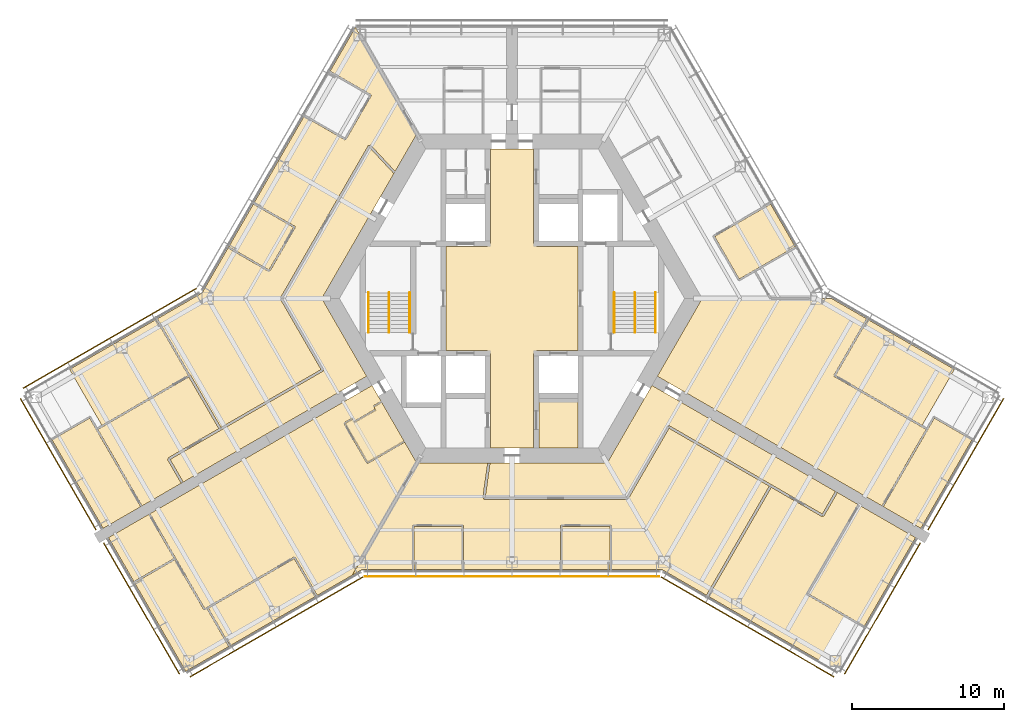
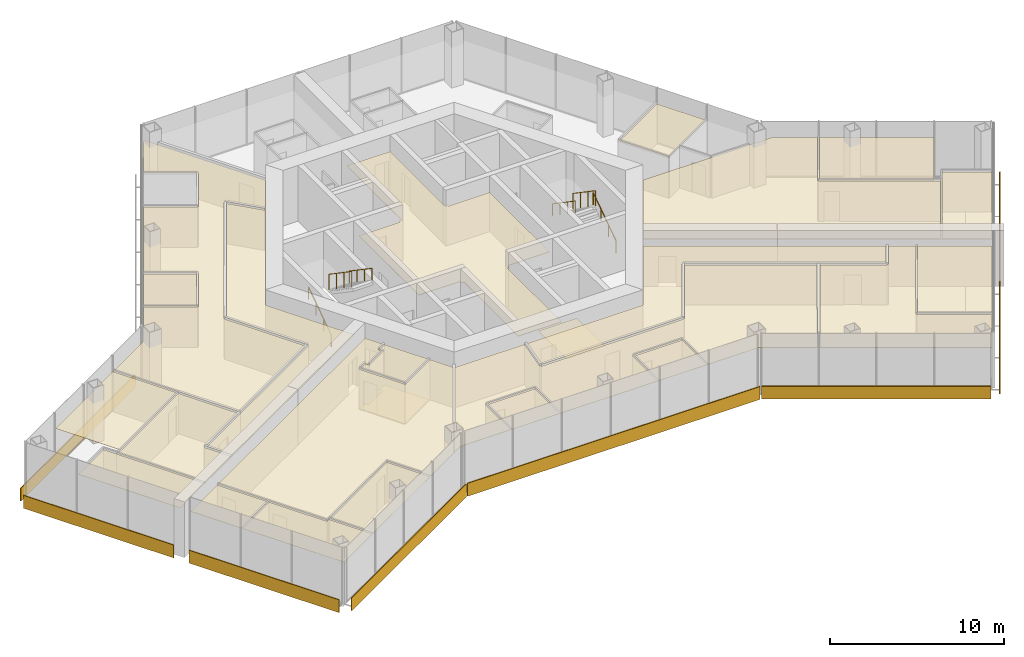
# One storey, part 17 of 18: 24 coverings, 8 shading devices, 6 railings.
"""IFC4 building model written with IfcOpenShell, lengths in metres."""

from ifc_helpers import new_model, si_unit, direction, frame, origin, origin_2d, place, context, subcontext, project, spatial, polyline, rectangle, circle, outline, extrude, material, layer, layer_set, type_object, element, save


model = new_model("IFC4")

# Units and contexts
model_context = context("Model", 3, precision=1e-05, world=origin(), true_north=direction((0.0, 1.0)))
body_context = subcontext(model_context, "Body", "Model", "MODEL_VIEW")
ifc_project = project(units=[si_unit("LENGTHUNIT", "METRE"), si_unit("AREAUNIT", "SQUARE_METRE"), si_unit("VOLUMEUNIT", "CUBIC_METRE"), si_unit("PLANEANGLEUNIT", "RADIAN"), si_unit("MASSUNIT", "GRAM", prefix="KILO")], contexts=[model_context])

# Site, building, storey
site_placement = place(None, origin())
site = spatial("IfcSite", under=ifc_project, at=site_placement, CompositionType="ELEMENT")
building_placement = place(site_placement, origin())
building = spatial("IfcBuilding", under=site, at=building_placement, Name="Kasaneha Research Tower", CompositionType="ELEMENT")
storey_placement = place(building_placement, frame((0.0, 0.0, 179.89990234375)))
storey = spatial("IfcBuildingStorey", under=building, at=storey_placement, Name="L45", CompositionType="ELEMENT", Elevation=179.89990234375)

# Covering
ifc_material_1 = material(Name="Aluminium panel ceiling", Category="aluminium")
ifc_layer_1 = layer(ifc_material_1, 0.0400390625)
ifc_layer_set_1 = layer_set([ifc_layer_1], Name="Lift lobby ceiling 40")
covering_type_1 = type_object("IfcCoveringType", Name="Lift lobby ceiling 40", PredefinedType="CEILING", material=ifc_layer_set_1)
covering_1_placement = place(storey_placement, frame((0.0, 0.0, 2.7001953125)))
element("IfcCovering", 1, at=covering_1_placement, inside=storey, type_object=covering_type_1, Name="Ceiling L45-01", PredefinedType="CEILING", context=body_context, shape_type="SweptSolid", body=[
    extrude(outline(polyline([(1.425048828125, 9.824951171875), (1.425048828125, 3.60009765625), (1.60009765625, 3.60009765625), (1.60009765625, 3.425048828125), (4.324951171875, 3.425048828125), (4.324951171875, -3.425048828125), (1.60009765625, -3.425048828125), (1.60009765625, -3.60009765625), (1.425048828125, -3.60009765625), (1.425048828125, -9.824951171875), (-1.425048828125, -9.824951171875), (-1.425048828125, -3.60009765625), (-1.60009765625, -3.60009765625), (-1.60009765625, -3.425048828125), (-4.324951171875, -3.425048828125), (-4.324951171875, 3.425048828125), (-1.60009765625, 3.425048828125), (-1.60009765625, 3.60009765625), (-1.425048828125, 3.60009765625), (-1.425048828125, 9.824951171875), (1.425048828125, 9.824951171875)])), origin(), (0.0, 0.0, 1.0), 0.039794921875),
])

# Railings
ifc_material_2 = material(Name="Steel", Category="steel")
railing_type_1 = type_object("IfcRailingType", Name="Stair balustrade 1100", PredefinedType="GUARDRAIL", material=ifc_material_2)
for number, where, name in (
    (2, (8.074951171875, 0.375, 2.12744140625), "Stair 1 balustrade L45"),
    (3, (-8.074951171875, 0.375, 2.12744140625), "Stair 2 balustrade L45"),
):
    element("IfcRailing", number, at=place(storey_placement, frame(where)), inside=storey, type_object=railing_type_1, Name=name, PredefinedType="GUARDRAIL", context=body_context, shape_type="SweptSolid", body=[
        extrude(circle(Radius=0.02392578125, at=origin_2d()), frame((0.0, 0.0, 1.076171875), z_axis=(0.0, -0.826240473404, 0.563317565952), x_axis=(1.0, 0.0, 0.0)), (0.0, 0.0, 1.0), 3.14697265625),
        extrude(circle(Radius=0.02099609375, at=origin_2d()), origin(), (0.0, 0.0, 1.0), 1.052001953125),
        extrude(circle(Radius=0.02099609375, at=origin_2d()), frame((0.0, -0.86669921875, 0.5908203125)), (0.0, 0.0, 1.0), 1.052001953125),
        extrude(circle(Radius=0.02099609375, at=origin_2d()), frame((0.0, -1.7333984375, 1.181884765625)), (0.0, 0.0, 1.0), 1.052001953125),
        extrude(circle(Radius=0.02099609375, at=origin_2d()), frame((0.0, -2.60009765625, 1.772705078125)), (0.0, 0.0, 1.0), 1.052001953125),
    ])
ifc_material_3 = material(Name="Steel", Category="steel")
railing_type_2 = type_object("IfcRailingType", Name="Stair handrail 850", PredefinedType="HANDRAIL", material=ifc_material_3)
railing_1_placement = place(storey_placement, frame((9.425048828125, -2.22509765625, 0.177490234375)))
element("IfcRailing", 4, at=railing_1_placement, inside=storey, type_object=railing_type_2, Name="Stair 1 handrail L45", PredefinedType="HANDRAIL", context=body_context, shape_type="SweptSolid", body=[
    extrude(circle(Radius=0.02392578125, at=origin_2d()), frame((0.0, 0.0, 0.826171875), z_axis=(0.0, 0.826240473404, 0.563317565952), x_axis=(-1.0, 0.0, 0.0)), (0.0, 0.0, 1.0), 3.14697265625),
    extrude(circle(Radius=0.02099609375, at=origin_2d()), origin(), (0.0, 0.0, 1.0), 0.802001953125),
    extrude(circle(Radius=0.02099609375, at=origin_2d()), frame((0.0, 0.86669921875, 0.5908203125)), (0.0, 0.0, 1.0), 0.802001953125),
    extrude(circle(Radius=0.02099609375, at=origin_2d()), frame((0.0, 1.7333984375, 1.181884765625)), (0.0, 0.0, 1.0), 0.802001953125),
    extrude(circle(Radius=0.02099609375, at=origin_2d()), frame((0.0, 2.60009765625, 1.772705078125)), (0.0, 0.0, 1.0), 0.802001953125),
])
railing_2_placement = place(storey_placement, frame((6.72509765625, 0.375, 2.12744140625)))
element("IfcRailing", 5, at=railing_2_placement, inside=storey, type_object=railing_type_2, Name="Stair 1 handrail L45", PredefinedType="HANDRAIL", context=body_context, shape_type="SweptSolid", body=[
    extrude(circle(Radius=0.02392578125, at=origin_2d()), frame((0.0, 0.0, 0.826171875), z_axis=(0.0, -0.826240473404, 0.563317565952), x_axis=(1.0, 0.0, 0.0)), (0.0, 0.0, 1.0), 3.14697265625),
    extrude(circle(Radius=0.02099609375, at=origin_2d()), origin(), (0.0, 0.0, 1.0), 0.802001953125),
    extrude(circle(Radius=0.02099609375, at=origin_2d()), frame((0.0, -0.86669921875, 0.5908203125)), (0.0, 0.0, 1.0), 0.802001953125),
    extrude(circle(Radius=0.02099609375, at=origin_2d()), frame((0.0, -1.7333984375, 1.181884765625)), (0.0, 0.0, 1.0), 0.802001953125),
    extrude(circle(Radius=0.02099609375, at=origin_2d()), frame((0.0, -2.60009765625, 1.772705078125)), (0.0, 0.0, 1.0), 0.802001953125),
])
railing_3_placement = place(storey_placement, frame((-9.425048828125, -2.22509765625, 0.177490234375)))
element("IfcRailing", 6, at=railing_3_placement, inside=storey, type_object=railing_type_2, Name="Stair 2 handrail L45", PredefinedType="HANDRAIL", context=body_context, shape_type="SweptSolid", body=[
    extrude(circle(Radius=0.02392578125, at=origin_2d()), frame((0.0, 0.0, 0.826171875), z_axis=(0.0, 0.826240473404, 0.563317565952), x_axis=(-1.0, 0.0, 0.0)), (0.0, 0.0, 1.0), 3.14697265625),
    extrude(circle(Radius=0.02099609375, at=origin_2d()), origin(), (0.0, 0.0, 1.0), 0.802001953125),
    extrude(circle(Radius=0.02099609375, at=origin_2d()), frame((0.0, 0.86669921875, 0.5908203125)), (0.0, 0.0, 1.0), 0.802001953125),
    extrude(circle(Radius=0.02099609375, at=origin_2d()), frame((0.0, 1.7333984375, 1.181884765625)), (0.0, 0.0, 1.0), 0.802001953125),
    extrude(circle(Radius=0.02099609375, at=origin_2d()), frame((0.0, 2.60009765625, 1.772705078125)), (0.0, 0.0, 1.0), 0.802001953125),
])
railing_4_placement = place(storey_placement, frame((-6.72509765625, 0.375, 2.12744140625)))
element("IfcRailing", 7, at=railing_4_placement, inside=storey, type_object=railing_type_2, Name="Stair 2 handrail L45", PredefinedType="HANDRAIL", context=body_context, shape_type="SweptSolid", body=[
    extrude(circle(Radius=0.02392578125, at=origin_2d()), frame((0.0, 0.0, 0.826171875), z_axis=(0.0, -0.826240473404, 0.563317565952), x_axis=(1.0, 0.0, 0.0)), (0.0, 0.0, 1.0), 3.14697265625),
    extrude(circle(Radius=0.02099609375, at=origin_2d()), origin(), (0.0, 0.0, 1.0), 0.802001953125),
    extrude(circle(Radius=0.02099609375, at=origin_2d()), frame((0.0, -0.86669921875, 0.5908203125)), (0.0, 0.0, 1.0), 0.802001953125),
    extrude(circle(Radius=0.02099609375, at=origin_2d()), frame((0.0, -1.7333984375, 1.181884765625)), (0.0, 0.0, 1.0), 0.802001953125),
    extrude(circle(Radius=0.02099609375, at=origin_2d()), frame((0.0, -2.60009765625, 1.772705078125)), (0.0, 0.0, 1.0), 0.802001953125),
])

# Coverings
ifc_material_4 = material(Name="Gypsum ceiling board", Category="gypsum")
ifc_layer_2 = layer(ifc_material_4, 0.02001953125)
ifc_layer_set_2 = layer_set([ifc_layer_2], Name="Suspended ceiling 20")
covering_type_2 = type_object("IfcCoveringType", Name="Suspended ceiling 20", PredefinedType="CEILING", material=ifc_layer_set_2)
covering_2_placement = place(storey_placement, frame((0.0, 0.0, 2.800048828125)))
element("IfcCovering", 8, at=covering_2_placement, inside=storey, type_object=covering_type_2, Name="Ceiling L45-27", PredefinedType="CEILING", context=body_context, shape_type="SweptSolid", body=[
    extrude(outline(polyline([(18.63720703125, 3.360595703125), (18.619873046875, 3.3505859375), (18.5947265625, 3.393798828125), (15.923095703125, 1.851318359375), (15.923095703125, 1.851318359375), (14.931396484375, 1.27880859375), (13.316162109375, 4.076904296875), (16.99658203125, 6.201904296875), (18.63720703125, 3.360595703125)])), origin(), (0.0, 0.0, 1.0), 0.02001953125),
])
covering_3_placement = place(storey_placement, frame((0.0, 0.0, 2.800048828125)))
element("IfcCovering", 9, at=covering_3_placement, inside=storey, type_object=covering_type_2, Name="Ceiling L45-33", PredefinedType="CEILING", context=body_context, shape_type="SweptSolid", body=[
    extrude(outline(polyline([(-9.5498046875, -5.109375), (-10.3291015625, -5.559326171875), (-10.3291015625, -5.559326171875), (-12.17041015625, -6.622314453125), (-21.670166015625, -12.107177734375), (-21.68017578125, -12.08984375), (-21.615234375, -12.05224609375), (-22.4677734375, -10.57568359375), (-19.134033203125, -8.651123046875), (-19.134033203125, -8.651123046875), (-12.404052734375, -4.765380859375), (-12.441650390625, -4.700439453125), (-12.376708984375, -4.6630859375), (-15.06884765625, 0.0), (-9.345947265625, 9.912353515625), (-7.7890625, 8.24267578125), (-7.734130859375, 8.2939453125), (-7.719970703125, 8.278564453125), (-12.49951171875, 0.0), (-9.5498046875, -5.109375)])), origin(), (0.0, 0.0, 1.0), 0.02001953125),
])
covering_4_placement = place(storey_placement, frame((0.0, 0.0, 2.800048828125)))
element("IfcCovering", 10, at=covering_4_placement, inside=storey, type_object=covering_type_2, Name="Ceiling L45-34", PredefinedType="CEILING", context=body_context, shape_type="SweptSolid", body=[
    extrude(outline(polyline([(-23.332275390625, -1.36962890625), (-23.37548828125, -1.39453125), (-21.266845703125, -5.056396484375), (-26.951904296875, -8.339111328125), (-29.074951171875, -4.662109375), (-23.34228515625, -1.352294921875), (-23.332275390625, -1.36962890625)])), origin(), (0.0, 0.0, 1.0), 0.02001953125),
])
covering_5_placement = place(storey_placement, frame((0.0, 0.0, 2.800048828125)))
element("IfcCovering", 11, at=covering_5_placement, inside=storey, type_object=covering_type_2, Name="Ceiling L45-35", PredefinedType="CEILING", context=body_context, shape_type="SweptSolid", body=[
    extrude(outline(polyline([(-30.249755859375, -9.2470703125), (-30.232421875, -9.237060546875), (-30.20751953125, -9.2802734375), (-27.75634765625, -7.865234375), (-27.32080078125, -8.60986328125), (-27.3251953125, -8.612548828125), (-24.408203125, -13.664794921875), (-24.364990234375, -13.639892578125), (-24.35498046875, -13.6572265625), (-24.5517578125, -13.770751953125), (-26.866455078125, -15.107177734375), (-30.249755859375, -9.2470703125)])), origin(), (0.0, 0.0, 1.0), 0.02001953125),
])
covering_6_placement = place(storey_placement, frame((0.0, 0.0, 2.800048828125)))
element("IfcCovering", 12, at=covering_6_placement, inside=storey, type_object=covering_type_2, Name="Ceiling L45-37", PredefinedType="CEILING", context=body_context, shape_type="SweptSolid", body=[
    extrude(outline(polyline([(-16.99658203125, 6.201904296875), (-14.355224609375, 4.677001953125), (-15.970703125, 1.87890625), (-18.5947265625, 3.393798828125), (-18.619873046875, 3.3505859375), (-18.63720703125, 3.360595703125), (-16.99658203125, 6.201904296875)])), origin(), (0.0, 0.0, 1.0), 0.02001953125),
])
covering_7_placement = place(storey_placement, frame((0.0, 0.0, 2.800048828125)))
element("IfcCovering", 13, at=covering_7_placement, inside=storey, type_object=covering_type_2, Name="Ceiling L45-38", PredefinedType="CEILING", context=body_context, shape_type="SweptSolid", body=[
    extrude(outline(polyline([(-9.360595703125, 10.037841796875), (-9.360595703125, 10.037841796875), (-9.425048828125, 10.0751953125), (-15.220458984375, 0.03759765625), (-15.15576171875, 0.000244140625), (-15.156005859375, 0.000244140625), (-15.15576171875, -0.000244140625), (-15.220458984375, -0.03759765625), (-12.5439453125, -4.673095703125), (-19.135498046875, -8.478759765625), (-21.12939453125, -5.03466796875), (-21.1552734375, -5.049560546875), (-23.288818359375, -1.3447265625), (-23.331787109375, -1.369384765625), (-23.341796875, -1.35205078125), (-20.365966796875, 0.365966796875), (-18.637451171875, 3.360107421875), (-18.6201171875, 3.35009765625), (-18.644775390625, 3.30712890625), (-15.9775390625, 1.76708984375), (-15.952392578125, 1.810546875), (-15.9521484375, 1.810302734375), (-15.9521484375, 1.810302734375), (-15.9091796875, 1.785400390625), (-14.24365234375, 4.670166015625), (-14.28662109375, 4.695068359375), (-14.28662109375, 4.6953125), (-14.286865234375, 4.695556640625), (-14.261962890625, 4.738525390625), (-16.94677734375, 6.28857421875), (-13.64111328125, 12.01416015625), (-13.62353515625, 12.004150390625), (-13.6484375, 11.961181640625), (-10.981201171875, 10.421142578125), (-10.9560546875, 10.464599609375), (-10.912841796875, 10.439453125), (-9.247314453125, 13.32421875), (-9.290283203125, 13.34912109375), (-9.2900390625, 13.349365234375), (-9.29052734375, 13.349609375), (-9.265625, 13.392578125), (-11.9501953125, 14.9423828125), (-10.28857421875, 17.820556640625), (-6.249755859375, 10.824951171875), (-7.6806640625, 8.346435546875), (-9.305419921875, 10.0888671875), (-9.360107421875, 10.03759765625), (-9.3603515625, 10.03759765625), (-9.360595703125, 10.037841796875)])), origin(), (0.0, 0.0, 1.0), 0.02001953125),
])
covering_8_placement = place(storey_placement, frame((0.0, 0.0, 2.800048828125)))
element("IfcCovering", 14, at=covering_8_placement, inside=storey, type_object=covering_type_2, Name="Ceiling L45-39", PredefinedType="CEILING", context=body_context, shape_type="SweptSolid", body=[
    extrude(outline(polyline([(-24.30615234375, -13.62890625), (-24.3544921875, -13.656982421875), (-24.364501953125, -13.6396484375), (-24.321533203125, -13.61474609375), (-27.213623046875, -8.605712890625), (-21.234130859375, -5.15283203125), (-19.265380859375, -8.5537109375), (-22.607666015625, -10.4833984375), (-22.5703125, -10.54833984375), (-22.63525390625, -10.585693359375), (-21.7451171875, -12.127197265625), (-21.6806640625, -12.090087890625), (-21.670654296875, -12.107421875), (-24.30615234375, -13.62890625)])), origin(), (0.0, 0.0, 1.0), 0.02001953125),
])
covering_9_placement = place(storey_placement, frame((0.0, 0.0, 2.800048828125)))
element("IfcCovering", 15, at=covering_9_placement, inside=storey, type_object=covering_type_2, Name="Ceiling L45-40", PredefinedType="CEILING", context=body_context, shape_type="SweptSolid", body=[
    extrude(outline(polyline([(-10.35498046875, -8.11474609375), (-10.35498046875, -8.11474609375), (-10.330078125, -8.157958984375), (-8.9443359375, -7.35791015625), (-8.994384765625, -7.271240234375), (-8.994384765625, -7.271240234375), (-9.09423828125, -7.09814453125), (-9.09423828125, -7.09814453125), (-9.0693359375, -7.141357421875), (-8.56689453125, -6.851318359375), (-8.592041015625, -6.80810546875), (-8.57470703125, -6.798095703125), (-7.07470703125, -9.396240234375), (-7.092041015625, -9.40625), (-7.116943359375, -9.36279296875), (-9.481201171875, -10.727783203125), (-10.931396484375, -8.21630859375), (-10.455078125, -7.94140625), (-10.35498046875, -8.11474609375)])), origin(), (0.0, 0.0, 1.0), 0.02001953125),
])
covering_10_placement = place(storey_placement, frame((0.0, 0.0, 2.800048828125)))
element("IfcCovering", 16, at=covering_10_placement, inside=storey, type_object=covering_type_2, Name="Ceiling L45-41", PredefinedType="CEILING", context=body_context, shape_type="SweptSolid", body=[
    extrude(outline(polyline([(-18.574951171875, -22.8486328125), (-18.5849609375, -22.831298828125), (-18.541748046875, -22.806396484375), (-19.949951171875, -20.356201171875), (-14.310546875, -17.095703125), (-12.885498046875, -19.563720703125), (-18.574951171875, -22.8486328125)])), origin(), (0.0, 0.0, 1.0), 0.02001953125),
])
covering_11_placement = place(storey_placement, frame((0.0, 0.0, 2.800048828125)))
element("IfcCovering", 17, at=covering_11_placement, inside=storey, type_object=covering_type_2, Name="Ceiling L45-42", PredefinedType="CEILING", context=body_context, shape_type="SweptSolid", body=[
    extrude(outline(polyline([(-20.025146484375, -20.336669921875), (-20.02490234375, -20.337158203125), (-20.0634765625, -20.359375), (-18.62841796875, -22.856201171875), (-18.585205078125, -22.831298828125), (-18.574951171875, -22.84912109375), (-21.44140625, -24.50390625), (-23.13330078125, -21.57373046875), (-20.850341796875, -20.255615234375), (-23.133056640625, -21.573486328125), (-24.7998046875, -18.686767578125), (-22.159423828125, -17.16796875), (-20.24951171875, -20.4658203125), (-20.20263671875, -20.4384765625), (-20.025146484375, -20.336669921875)])), origin(), (0.0, 0.0, 1.0), 0.02001953125),
])
covering_12_placement = place(storey_placement, frame((0.0, 0.0, 2.800048828125)))
element("IfcCovering", 18, at=covering_12_placement, inside=storey, type_object=covering_type_2, Name="Ceiling L45-43", PredefinedType="CEILING", context=body_context, shape_type="SweptSolid", body=[
    extrude(outline(polyline([(-23.83154296875, -14.163330078125), (-23.82177734375, -14.1806640625), (-23.864990234375, -14.20556640625), (-22.20947265625, -17.08154296875), (-24.849609375, -18.60009765625), (-26.516357421875, -15.71337890625), (-23.83154296875, -14.163330078125)])), origin(), (0.0, 0.0, 1.0), 0.02001953125),
])
covering_13_placement = place(storey_placement, frame((0.0, 0.0, 2.800048828125)))
element("IfcCovering", 19, at=covering_13_placement, inside=storey, type_object=covering_type_2, Name="Ceiling L45-44", PredefinedType="CEILING", context=body_context, shape_type="SweptSolid", body=[
    extrude(outline(polyline([(-9.19970703125, -5.715576171875), (-8.574951171875, -6.797607421875), (-8.59228515625, -6.8076171875), (-8.616943359375, -6.764892578125), (-9.119384765625, -7.0546875), (-9.094482421875, -7.09765625), (-9.0947265625, -7.097900390625), (-8.99462890625, -7.271484375), (-10.379638671875, -8.071044921875), (-10.47998046875, -7.897705078125), (-10.480224609375, -7.897705078125), (-10.5048828125, -7.854736328125), (-11.024658203125, -8.15478515625), (-10.999755859375, -8.19775390625), (-11.0, -8.197998046875), (-11.0, -8.1982421875), (-11.04296875, -8.22314453125), (-9.54296875, -10.8212890625), (-9.5, -10.79638671875), (-9.5, -10.796630859375), (-9.49951171875, -10.79638671875), (-9.474609375, -10.839599609375), (-7.06689453125, -9.449462890625), (-7.091796875, -9.40673828125), (-7.074462890625, -9.396728515625), (-6.249755859375, -10.824951171875), (-10.5, -18.1865234375), (-12.798828125, -19.513916015625), (-14.248779296875, -17.002197265625), (-14.2919921875, -17.02734375), (-14.292236328125, -17.02685546875), (-14.29248046875, -17.02685546875), (-14.317138671875, -16.984130859375), (-20.048095703125, -20.29736328125), (-20.025390625, -20.33642578125), (-20.197265625, -20.435546875), (-20.1630859375, -20.41552734375), (-22.100341796875, -17.070556640625), (-23.7783203125, -14.15576171875), (-23.8212890625, -14.180419921875), (-23.831298828125, -14.1630859375), (-10.84521484375, -6.66552734375), (-10.84521484375, -6.66552734375), (-9.979248046875, -6.16552734375), (-9.979248046875, -6.16552734375), (-9.19970703125, -5.715576171875)])), origin(), (0.0, 0.0, 1.0), 0.02001953125),
])
covering_14_placement = place(storey_placement, frame((0.0, 0.0, 2.800048828125)))
element("IfcCovering", 20, at=covering_14_placement, inside=storey, type_object=covering_type_2, Name="Ceiling L45-45", PredefinedType="CEILING", context=body_context, shape_type="SweptSolid", body=[
    extrude(outline(polyline([(26.951904296875, -8.33935546875), (21.260498046875, -5.057861328125), (23.37548828125, -1.39453125), (23.332275390625, -1.36962890625), (23.34228515625, -1.352294921875), (29.074951171875, -4.662109375), (26.951904296875, -8.33935546875)])), origin(), (0.0, 0.0, 1.0), 0.02001953125),
])
covering_15_placement = place(storey_placement, frame((0.0, 0.0, 2.800048828125)))
element("IfcCovering", 21, at=covering_15_placement, inside=storey, type_object=covering_type_2, Name="Ceiling L45-46", PredefinedType="CEILING", context=body_context, shape_type="SweptSolid", body=[
    extrude(outline(polyline([(24.5517578125, -13.770751953125), (24.35498046875, -13.6572265625), (24.364990234375, -13.639892578125), (24.408203125, -13.664794921875), (27.3251953125, -8.612548828125), (27.32080078125, -8.60986328125), (27.75634765625, -7.865234375), (30.20751953125, -9.280029296875), (30.232421875, -9.237060546875), (30.249755859375, -9.2470703125), (26.866455078125, -15.107177734375), (24.5517578125, -13.770751953125)])), origin(), (0.0, 0.0, 1.0), 0.02001953125),
])
covering_16_placement = place(storey_placement, frame((0.0, 0.0, 2.800048828125)))
element("IfcCovering", 22, at=covering_16_placement, inside=storey, type_object=covering_type_2, Name="Ceiling L45-47", PredefinedType="CEILING", context=body_context, shape_type="SweptSolid", body=[
    extrude(outline(polyline([(9.5498046875, -5.109375), (12.49951171875, 0.0), (16.93994140625, 0.0), (16.94287109375, -0.0048828125), (16.951416015625, 0.0), (21.0, 0.0), (23.341796875, -1.35205078125), (23.331787109375, -1.369384765625), (23.288818359375, -1.344482421875), (21.14892578125, -5.05126953125), (21.192138671875, -5.076171875), (21.19189453125, -5.076416015625), (21.19189453125, -5.07666015625), (21.167236328125, -5.11962890625), (27.213623046875, -8.605712890625), (24.321533203125, -13.61474609375), (24.364501953125, -13.6396484375), (24.3544921875, -13.656982421875), (10.3291015625, -5.559326171875), (10.3291015625, -5.559326171875), (9.5498046875, -5.109375)])), origin(), (0.0, 0.0, 1.0), 0.02001953125),
])
covering_17_placement = place(storey_placement, frame((0.0, 0.0, 2.800048828125)))
element("IfcCovering", 23, at=covering_17_placement, inside=storey, type_object=covering_type_2, Name="Ceiling L45-48", PredefinedType="CEILING", context=body_context, shape_type="SweptSolid", body=[
    extrude(outline(polyline([(10.29150390625, -8.424560546875), (10.2265625, -8.386962890625), (7.534423828125, -13.050048828125), (-1.75830078125, -13.050048828125), (-1.449951171875, -10.85546875), (-1.524169921875, -10.844970703125), (-1.521240234375, -10.824951171875), (6.249755859375, -10.824951171875), (9.19970703125, -5.715576171875), (9.979248046875, -6.16552734375), (9.979248046875, -6.16552734375), (10.84521484375, -6.66552734375), (10.84521484375, -6.66552734375), (16.76171875, -10.08154296875), (21.320068359375, -12.71337890625), (21.310302734375, -12.730712890625), (21.245361328125, -12.693115234375), (20.392822265625, -14.169677734375), (17.05029296875, -12.239990234375), (17.05029296875, -12.239990234375), (10.3291015625, -8.359619140625), (10.29150390625, -8.424560546875), (10.29150390625, -8.424560546875), (10.29150390625, -8.424560546875)])), origin(), (0.0, 0.0, 1.0), 0.02001953125),
])
covering_18_placement = place(storey_placement, frame((0.0, 0.0, 2.800048828125)))
element("IfcCovering", 24, at=covering_18_placement, inside=storey, type_object=covering_type_2, Name="Ceiling L45-49", PredefinedType="CEILING", context=body_context, shape_type="SweptSolid", body=[
    extrude(outline(polyline([(3.246337890625, -17.820556640625), (3.246337890625, -17.800537109375), (3.29638671875, -17.800537109375), (3.29638671875, -14.970458984375), (6.44287109375, -14.970458984375), (6.44287109375, -17.800537109375), (6.492919921875, -17.800537109375), (6.492919921875, -17.820556640625), (3.246337890625, -17.820556640625)])), origin(), (0.0, 0.0, 1.0), 0.02001953125),
])
covering_19_placement = place(storey_placement, frame((0.0, 0.0, 2.800048828125)))
element("IfcCovering", 25, at=covering_19_placement, inside=storey, type_object=covering_type_2, Name="Ceiling L45-50", PredefinedType="CEILING", context=body_context, shape_type="SweptSolid", body=[
    extrude(outline(polyline([(-6.492919921875, -17.820556640625), (-6.492919921875, -17.800537109375), (-6.44287109375, -17.800537109375), (-6.44287109375, -14.970458984375), (-3.29638671875, -14.970458984375), (-3.29638671875, -17.800537109375), (-3.246337890625, -17.800537109375), (-3.246337890625, -17.820556640625), (-6.492919921875, -17.820556640625)])), origin(), (0.0, 0.0, 1.0), 0.02001953125),
])
covering_20_placement = place(storey_placement, frame((0.0, 0.0, 2.800048828125)))
element("IfcCovering", 26, at=covering_20_placement, inside=storey, type_object=covering_type_2, Name="Ceiling L45-51", PredefinedType="CEILING", context=body_context, shape_type="SweptSolid", body=[
    extrude(outline(polyline([(23.157958984375, -21.5302734375), (19.477294921875, -19.4052734375), (22.82568359375, -13.605712890625), (22.782470703125, -13.580810546875), (22.79248046875, -13.5634765625), (26.516357421875, -15.71337890625), (23.157958984375, -21.5302734375)])), origin(), (0.0, 0.0, 1.0), 0.02001953125),
])
covering_21_placement = place(storey_placement, frame((0.0, 0.0, 2.800048828125)))
element("IfcCovering", 27, at=covering_21_placement, inside=storey, type_object=covering_type_2, Name="Ceiling L45-52", PredefinedType="CEILING", context=body_context, shape_type="SweptSolid", body=[
    extrude(outline(polyline([(6.492919921875, -14.919921875), (6.492919921875, -14.87060546875), (3.246337890625, -14.87060546875), (3.246337890625, -14.920166015625), (3.24609375, -14.920166015625), (3.24609375, -14.92041015625), (3.1962890625, -14.92041015625), (3.1962890625, -17.800537109375), (3.245849609375, -17.800537109375), (3.245849609375, -17.820556640625), (-3.245849609375, -17.820556640625), (-3.245849609375, -17.800537109375), (-3.1962890625, -17.800537109375), (-3.1962890625, -14.92041015625), (-3.24609375, -14.92041015625), (-3.24609375, -14.920166015625), (-3.246337890625, -14.920166015625), (-3.246337890625, -14.87060546875), (-6.492919921875, -14.87060546875), (-6.492919921875, -14.919921875), (-6.492919921875, -14.919921875), (-6.492919921875, -14.92041015625), (-6.542724609375, -14.92041015625), (-6.542724609375, -17.800537109375), (-6.493408203125, -17.800537109375), (-6.493408203125, -17.820556640625), (-9.865966796875, -17.820556640625), (-10.5, -18.1865234375), (-6.249755859375, -10.824951171875), (-1.52197265625, -10.824951171875), (-1.524658203125, -10.844970703125), (-1.598388671875, -10.83447265625), (-1.9189453125, -13.114501953125), (-1.8447265625, -13.125), (-1.8447265625, -13.12548828125), (-1.844482421875, -13.12548828125), (-1.844482421875, -13.199951171875), (7.57763671875, -13.199951171875), (7.57763671875, -13.12548828125), (7.577880859375, -13.12548828125), (7.577880859375, -13.125244140625), (7.642578125, -13.16259765625), (10.319091796875, -8.52685546875), (16.910400390625, -12.33251953125), (12.77734375, -19.501220703125), (9.865966796875, -17.820556640625), (6.493408203125, -17.820556640625), (6.493408203125, -17.800537109375), (6.542724609375, -17.800537109375), (6.542724609375, -14.92041015625), (6.492919921875, -14.92041015625), (6.492919921875, -14.919921875), (6.492919921875, -14.919921875)])), origin(), (0.0, 0.0, 1.0), 0.02001953125),
])
covering_22_placement = place(storey_placement, frame((0.0, 0.0, 2.800048828125)))
element("IfcCovering", 28, at=covering_22_placement, inside=storey, type_object=covering_type_2, Name="Ceiling L45-53", PredefinedType="CEILING", context=body_context, shape_type="SweptSolid", body=[
    extrude(outline(polyline([(20.42041015625, -14.272216796875), (20.485107421875, -14.309814453125), (21.375244140625, -12.768310546875), (21.310546875, -12.73095703125), (21.320556640625, -12.713623046875), (21.745849609375, -12.959228515625), (22.7919921875, -13.56298828125), (22.781982421875, -13.58056640625), (22.739013671875, -13.5556640625), (19.36572265625, -19.3984375), (19.40869140625, -19.42333984375), (19.40869140625, -19.42333984375), (19.408935546875, -19.423583984375), (19.384033203125, -19.466796875), (23.10791015625, -21.61669921875), (21.44140625, -24.50341796875), (12.9072265625, -19.576416015625), (17.040283203125, -12.407470703125), (20.3828125, -14.337158203125), (20.419921875, -14.272705078125), (20.420166015625, -14.272705078125), (20.42041015625, -14.272216796875)])), origin(), (0.0, 0.0, 1.0), 0.02001953125),
])

# Shading devices
ifc_material_5 = material(Name="Terracotta", Category="masonry")
ifc_layer_3 = layer(ifc_material_5, 0.06005859375)
ifc_layer_set_3 = layer_set([ifc_layer_3], Name="Terracotta baguette screen")
shading_device_type = type_object("IfcShadingDeviceType", Name="Terracotta baguette screen", PredefinedType="USERDEFINED", material=ifc_layer_set_3)
shading_device_1_placement = place(storey_placement, frame((0.0, -18.2705078125, -0.449951171875), z_axis=(0.0, 0.0, 1.0), x_axis=(1.0, 0.0, 0.0)))
element("IfcShadingDevice", 29, at=shading_device_1_placement, inside=storey, type_object=shading_device_type, Name="Baguette screen L45 01", ObjectType="TERRACOTTA BAGUETTE SCREEN", PredefinedType="USERDEFINED", context=body_context, shape_type="SweptSolid", body=[
    extrude(rectangle(XDim=19.37841796875, YDim=0.06005859375, at=origin_2d()), origin(), (0.0, 0.0, 1.0), 0.89990234375),
])
shading_device_2_placement = place(storey_placement, frame((15.483642578125, -21.58349609375, -0.449951171875), z_axis=(0.0, 0.0, 1.0), x_axis=(0.866025411464, -0.499999986699, 0.0)))
element("IfcShadingDevice", 30, at=shading_device_2_placement, inside=storey, type_object=shading_device_type, Name="Baguette screen L45 02", ObjectType="TERRACOTTA BAGUETTE SCREEN", PredefinedType="USERDEFINED", context=body_context, shape_type="SweptSolid", body=[
    extrude(rectangle(XDim=13.13916015625, YDim=0.06005859375, at=origin_2d()), origin(), (0.0, 0.0, 1.0), 0.89990234375),
])
for number, where, z_axis, x_axis, name in (
    (31, (24.343505859375, -20.376708984375, -0.449951171875), (0.0, 0.0, 1.0), (0.500000011442, 0.866025397178, 0.0), "Baguette screen L45 03"),
    (32, (29.818603515625, -10.893798828125, -0.449951171875), (0.0, 0.0, 1.0), (0.500000011442, 0.866025397178, 0.0), "Baguette screen L45 04"),
):
    element("IfcShadingDevice", number, at=place(storey_placement, frame(where, z_axis=z_axis, x_axis=x_axis)), inside=storey, type_object=shading_device_type, Name=name, ObjectType="TERRACOTTA BAGUETTE SCREEN", PredefinedType="USERDEFINED", context=body_context, shape_type="SweptSolid", body=[
        extrude(rectangle(XDim=9.949951171875, YDim=0.06005859375, at=origin_2d()), origin(), (0.0, 0.0, 1.0), 0.89990234375),
    ])
shading_device_3_placement = place(storey_placement, frame((-26.43359375, -2.617431640625, -0.449951171875), z_axis=(0.0, 0.0, 1.0), x_axis=(-0.866025411464, -0.499999986699, 0.0)))
element("IfcShadingDevice", 33, at=shading_device_3_placement, inside=storey, type_object=shading_device_type, Name="Baguette screen L45 09", ObjectType="TERRACOTTA BAGUETTE SCREEN", PredefinedType="USERDEFINED", context=body_context, shape_type="SweptSolid", body=[
    extrude(rectangle(XDim=13.13916015625, YDim=0.06005859375, at=origin_2d()), origin(), (0.0, 0.0, 1.0), 0.89990234375),
])
for number, where, z_axis, x_axis, name in (
    (34, (-29.818603515625, -10.893798828125, -0.449951171875), (0.0, 0.0, 1.0), (0.500000011442, -0.866025397178, 0.0), "Baguette screen L45 10"),
    (35, (-24.343505859375, -20.376708984375, -0.449951171875), (0.0, 0.0, 1.0), (0.500000011442, -0.866025397178, 0.0), "Baguette screen L45 11"),
):
    element("IfcShadingDevice", number, at=place(storey_placement, frame(where, z_axis=z_axis, x_axis=x_axis)), inside=storey, type_object=shading_device_type, Name=name, ObjectType="TERRACOTTA BAGUETTE SCREEN", PredefinedType="USERDEFINED", context=body_context, shape_type="SweptSolid", body=[
        extrude(rectangle(XDim=9.949951171875, YDim=0.06005859375, at=origin_2d()), origin(), (0.0, 0.0, 1.0), 0.89990234375),
    ])
shading_device_4_placement = place(storey_placement, frame((-15.483642578125, -21.58349609375, -0.449951171875), z_axis=(0.0, 0.0, 1.0), x_axis=(0.866025411464, 0.499999986699, 0.0)))
element("IfcShadingDevice", 36, at=shading_device_4_placement, inside=storey, type_object=shading_device_type, Name="Baguette screen L45 12", ObjectType="TERRACOTTA BAGUETTE SCREEN", PredefinedType="USERDEFINED", context=body_context, shape_type="SweptSolid", body=[
    extrude(rectangle(XDim=13.13916015625, YDim=0.06005859375, at=origin_2d()), origin(), (0.0, 0.0, 1.0), 0.89990234375),
])

# Coverings
ifc_material_6 = material(Name="Vinyl sheet flooring", Category="plastic")
ifc_layer_4 = layer(ifc_material_6, 0.0048828125)
ifc_layer_set_4 = layer_set([ifc_layer_4], Name="Wet room sheet flooring 5")
covering_type_3 = type_object("IfcCoveringType", Name="Wet room sheet flooring 5", PredefinedType="FLOORING", material=ifc_layer_set_4)
covering_23_placement = place(storey_placement, origin())
element("IfcCovering", 37, at=covering_23_placement, inside=storey, type_object=covering_type_3, Name="Floor finish L45-11", PredefinedType="FLOORING", context=body_context, shape_type="SweptSolid", body=[
    extrude(outline(polyline([(1.77490234375, -9.824951171875), (1.77490234375, -6.574951171875), (4.324951171875, -6.574951171875), (4.324951171875, -9.824951171875), (1.77490234375, -9.824951171875)])), origin(), (0.0, 0.0, 1.0), 0.005126953125),
])
covering_24_placement = place(storey_placement, origin())
element("IfcCovering", 38, at=covering_24_placement, inside=storey, type_object=covering_type_3, Name="Floor finish L45-40", PredefinedType="FLOORING", context=body_context, shape_type="SweptSolid", body=[
    extrude(outline(polyline([(-10.99951171875, -8.1982421875), (-10.47998046875, -7.898193359375), (-10.35498046875, -8.11474609375), (-8.96923828125, -7.314697265625), (-9.09423828125, -7.09814453125), (-8.57470703125, -6.798095703125), (-7.07470703125, -9.396240234375), (-9.49951171875, -10.796142578125), (-10.99951171875, -8.1982421875)])), origin(), (0.0, 0.0, 1.0), 0.005126953125),
])

save(model, "model.ifc")
